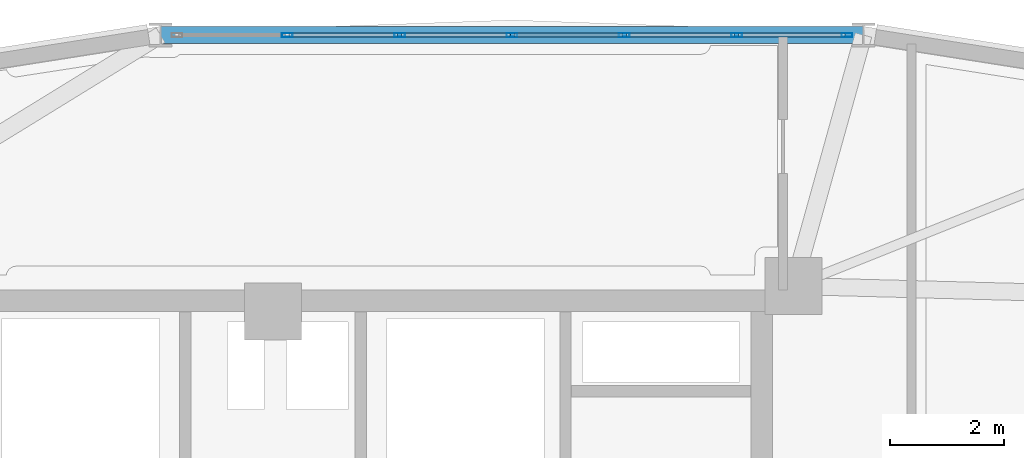
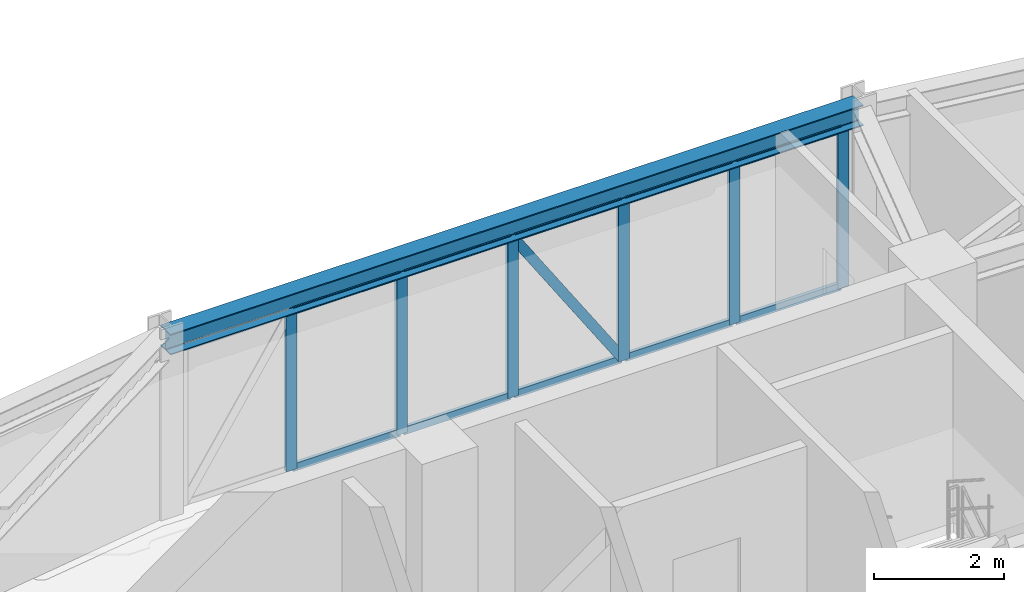
# One storey, part 10 of 18: 17 members, 1 beam, 1 element without a shape of its own.
"""IFC4 building model written with IfcOpenShell, lengths in metres."""

from ifc_helpers import new_model, si_unit, derived_unit, direction, frame, origin, origin_2d, place, context, subcontext, project, spatial, hollow_rectangle, i_section, extrude, source, transform, mapped, material, layer, layer_set, material_profile, profile_set, type_object, element, aggregate, save


model = new_model("IFC4")

# Units and contexts
model_context = context("Model", 3, precision=1e-05, world=origin(), true_north=direction((0.0, 1.0)))
body_context = subcontext(model_context, "Body", "Model", "MODEL_VIEW")
ifc_project = project(units=[si_unit("LENGTHUNIT", "METRE"), si_unit("AREAUNIT", "SQUARE_METRE"), si_unit("VOLUMEUNIT", "CUBIC_METRE"), si_unit("PLANEANGLEUNIT", "RADIAN"), si_unit("MASSUNIT", "GRAM", prefix="KILO"), derived_unit("THERMALTRANSMITTANCEUNIT", [(si_unit("POWERUNIT", "WATT"), 1), (si_unit("LENGTHUNIT", "METRE"), -2), (si_unit("THERMODYNAMICTEMPERATUREUNIT", "KELVIN"), -1)])], contexts=[model_context])

# Site, building, storey
site_placement = place(None, origin())
site = spatial("IfcSite", under=ifc_project, at=site_placement, CompositionType="ELEMENT")
building_placement = place(site_placement, origin())
building = spatial("IfcBuilding", under=site, at=building_placement, Name="Korsvarv Bourse and Concert Hall", CompositionType="ELEMENT")
storey_placement = place(building_placement, frame((0.0, 0.0, 209.39990234375)))
storey = spatial("IfcBuildingStorey", under=building, at=storey_placement, Name="L54", CompositionType="ELEMENT", Elevation=209.39990234375)

# Beam
ifc_material_1 = material(Name="Steel S355", Category="steel")
ifc_material_profile_1 = material_profile(ifc_material_1, i_section(OverallWidth=0.300048828125, OverallDepth=0.389892578125, WebThickness=0.010986328125, FlangeThickness=0.01904296875, FilletRadius=0.02099609375, at=origin_2d()), Name="HEA 400")
ifc_profile_set_1 = profile_set([ifc_material_profile_1], Name="Steel S355")
beam_type = type_object("IfcBeamType", Name="BM-HEA400", PredefinedType="BEAM", material=ifc_profile_set_1)
shared_shape_1 = source(origin(), body_context, "Body", "SweptSolid", [
    extrude(i_section(OverallWidth=0.300048828125, OverallDepth=0.389892578125, WebThickness=0.010986328125, FlangeThickness=0.01904296875, FilletRadius=0.02099609375, at=origin_2d()), origin(), (0.0, 0.0, 1.0), 12.353515625),
])
beam_placement = place(storey_placement, frame((46.376708984375, 51.66162109375, 3.215087890625), z_axis=(-1.0, 0.0, 0.0), x_axis=(0.0, -1.0, 0.0)))
element("IfcBeam", 1, at=beam_placement, inside=storey, type_object=beam_type, Name="L54 beam B-11", PredefinedType="BEAM", context=body_context, shape_type="MappedRepresentation", body=[
    mapped(shared_shape_1, transform((0.0, 0.0, 0.0), scale=1.0)),
])

# Curtain wall, members
ifc_material_2 = material(Name="Anodised aluminium and triple low-E glazing", Category="glass")
ifc_layer = layer(ifc_material_2, 0.199951171875)
ifc_layer_set = layer_set([ifc_layer], Name="Anodised aluminium and triple low-E glazing")
curtain_wall_type = type_object("IfcCurtainWallType", Name="CW-SYS-3", PredefinedType="NOTDEFINED", material=ifc_layer_set)
curtain_wall_placement = place(storey_placement, origin())
curtain_wall = element("IfcCurtainWall", 2, at=curtain_wall_placement, inside=storey, type_object=curtain_wall_type, Name="L54 CW3 curtain wall CW-L54-F03", PredefinedType="NOTDEFINED")
ifc_material_3 = material(Name="Extruded aluminium EN AW-6063 T66", Category="aluminium")
ifc_material_profile_2 = material_profile(ifc_material_3, hollow_rectangle(XDim=0.070068359375, YDim=0.18994140625, WallThickness=0.0048828125, at=origin_2d()), Name="ALU-M 70x190")
ifc_profile_set_2 = profile_set([ifc_material_profile_2], Name="Extruded aluminium EN AW-6063 T66")
member_type_1 = type_object("IfcMemberType", Name="CWM-190", PredefinedType="MULLION", material=ifc_profile_set_2)
shared_shape_2 = source(origin(), body_context, "Body", "SweptSolid", [
    extrude(hollow_rectangle(XDim=0.070068359375, YDim=0.18994140625, WallThickness=0.0048828125, at=origin_2d()), origin(), (0.0, 0.0, 1.0), 3.02001953125),
])
member_1_placement = place(storey_placement, frame((46.088623046875, 51.66162109375, 0.0), z_axis=(0.0, 0.0, 1.0), x_axis=(0.0, -1.0, 0.0)))
member_1 = element("IfcMember", 3, at=member_1_placement, type_object=member_type_1, Name="CW3 mullion 1", PredefinedType="MULLION", context=body_context, shape_type="MappedRepresentation", body=[
    mapped(shared_shape_2, transform((0.0, 0.0, 0.0), scale=1.0)),
])
member_2_placement = place(storey_placement, frame((44.149169921875, 51.66162109375, 0.0), z_axis=(0.0, 0.0, 1.0), x_axis=(0.0, -1.0, 0.0)))
member_2 = element("IfcMember", 4, at=member_2_placement, type_object=member_type_1, Name="CW3 mullion 2", PredefinedType="MULLION", context=body_context, shape_type="MappedRepresentation", body=[
    mapped(shared_shape_2, transform((0.0, 0.0, 0.0), scale=1.0)),
])
member_3_placement = place(storey_placement, frame((42.174560546875, 51.66162109375, 0.0), z_axis=(0.0, 0.0, 1.0), x_axis=(0.0, -1.0, 0.0)))
member_3 = element("IfcMember", 5, at=member_3_placement, type_object=member_type_1, Name="CW3 mullion 3", PredefinedType="MULLION", context=body_context, shape_type="MappedRepresentation", body=[
    mapped(shared_shape_2, transform((0.0, 0.0, 0.0), scale=1.0)),
])
member_4_placement = place(storey_placement, frame((40.199951171875, 51.66162109375, 0.0), z_axis=(0.0, 0.0, 1.0), x_axis=(0.0, -1.0, 0.0)))
member_4 = element("IfcMember", 6, at=member_4_placement, type_object=member_type_1, Name="CW3 mullion 4", PredefinedType="MULLION", context=body_context, shape_type="MappedRepresentation", body=[
    mapped(shared_shape_2, transform((0.0, 0.0, 0.0), scale=1.0)),
])
member_5_placement = place(storey_placement, frame((38.225341796875, 51.66162109375, 0.0), z_axis=(0.0, 0.0, 1.0), x_axis=(0.0, -1.0, 0.0)))
member_5 = element("IfcMember", 7, at=member_5_placement, type_object=member_type_1, Name="CW3 mullion 5", PredefinedType="MULLION", context=body_context, shape_type="MappedRepresentation", body=[
    mapped(shared_shape_2, transform((0.0, 0.0, 0.0), scale=1.0)),
])
member_6_placement = place(storey_placement, frame((36.2509765625, 51.66162109375, 0.0), z_axis=(0.0, 0.0, 1.0), x_axis=(0.0, -1.0, 0.0)))
member_6 = element("IfcMember", 8, at=member_6_placement, type_object=member_type_1, Name="CW3 mullion 6", PredefinedType="MULLION", context=body_context, shape_type="MappedRepresentation", body=[
    mapped(shared_shape_2, transform((0.0, 0.0, 0.0), scale=1.0)),
])
ifc_material_profile_3 = material_profile(ifc_material_3, hollow_rectangle(XDim=0.06494140625, YDim=0.139892578125, WallThickness=0.00390625, at=origin_2d()), Name="ALU-T 65x140")
ifc_profile_set_3 = profile_set([ifc_material_profile_3], Name="Extruded aluminium EN AW-6063 T66")
member_type_2 = type_object("IfcMemberType", Name="CWT-140", PredefinedType="USERDEFINED", material=ifc_profile_set_3)
shared_shape_3 = source(origin(), body_context, "Body", "SweptSolid", [
    extrude(hollow_rectangle(XDim=0.06494140625, YDim=0.139892578125, WallThickness=0.00390625, at=origin_2d()), origin(), (0.0, 0.0, 1.0), 1.86962890625),
])
member_7_placement = place(storey_placement, frame((46.0537109375, 51.66162109375, 0.03271484375), z_axis=(-1.0, 0.0, 0.0), x_axis=(0.0, -1.0, 0.0)))
member_7 = element("IfcMember", 9, at=member_7_placement, type_object=member_type_2, Name="CW3 transom 1.1", ObjectType="TRANSOM", PredefinedType="USERDEFINED", context=body_context, shape_type="MappedRepresentation", body=[
    mapped(shared_shape_3, transform((0.0, 0.0, 0.0), scale=1.0)),
])
member_8_placement = place(storey_placement, frame((46.0537109375, 51.66162109375, 2.987548828125), z_axis=(-1.0, 0.0, 0.0), x_axis=(0.0, -1.0, 0.0)))
member_8 = element("IfcMember", 10, at=member_8_placement, type_object=member_type_2, Name="CW3 transom 1.2", ObjectType="TRANSOM", PredefinedType="USERDEFINED", context=body_context, shape_type="MappedRepresentation", body=[
    mapped(shared_shape_3, transform((0.0, 0.0, 0.0), scale=1.0)),
])
shared_shape_4 = source(origin(), body_context, "Body", "SweptSolid", [
    extrude(hollow_rectangle(XDim=0.06494140625, YDim=0.139892578125, WallThickness=0.00390625, at=origin_2d()), origin(), (0.0, 0.0, 1.0), 1.904541015625),
])
member_9_placement = place(storey_placement, frame((44.114013671875, 51.66162109375, 0.03271484375), z_axis=(-1.0, 0.0, 0.0), x_axis=(0.0, -1.0, 0.0)))
member_9 = element("IfcMember", 11, at=member_9_placement, type_object=member_type_2, Name="CW3 transom 2.1", ObjectType="TRANSOM", PredefinedType="USERDEFINED", context=body_context, shape_type="MappedRepresentation", body=[
    mapped(shared_shape_4, transform((0.0, 0.0, 0.0), scale=1.0)),
])
member_10_placement = place(storey_placement, frame((44.114013671875, 51.66162109375, 2.987548828125), z_axis=(-1.0, 0.0, 0.0), x_axis=(0.0, -1.0, 0.0)))
member_10 = element("IfcMember", 12, at=member_10_placement, type_object=member_type_2, Name="CW3 transom 2.2", ObjectType="TRANSOM", PredefinedType="USERDEFINED", context=body_context, shape_type="MappedRepresentation", body=[
    mapped(shared_shape_4, transform((0.0, 0.0, 0.0), scale=1.0)),
])
member_11_placement = place(storey_placement, frame((42.1396484375, 51.66162109375, 0.03271484375), z_axis=(-1.0, 0.0, 0.0), x_axis=(0.0, -1.0, 0.0)))
member_11 = element("IfcMember", 13, at=member_11_placement, type_object=member_type_2, Name="CW3 transom 3.1", ObjectType="TRANSOM", PredefinedType="USERDEFINED", context=body_context, shape_type="MappedRepresentation", body=[
    mapped(shared_shape_4, transform((0.0, 0.0, 0.0), scale=1.0)),
])
member_12_placement = place(storey_placement, frame((42.1396484375, 51.66162109375, 2.987548828125), z_axis=(-1.0, 0.0, 0.0), x_axis=(0.0, -1.0, 0.0)))
member_12 = element("IfcMember", 14, at=member_12_placement, type_object=member_type_2, Name="CW3 transom 3.2", ObjectType="TRANSOM", PredefinedType="USERDEFINED", context=body_context, shape_type="MappedRepresentation", body=[
    mapped(shared_shape_4, transform((0.0, 0.0, 0.0), scale=1.0)),
])
member_13_placement = place(storey_placement, frame((40.1650390625, 51.66162109375, 0.03271484375), z_axis=(-1.0, 0.0, 0.0), x_axis=(0.0, -1.0, 0.0)))
member_13 = element("IfcMember", 15, at=member_13_placement, type_object=member_type_2, Name="CW3 transom 4.1", ObjectType="TRANSOM", PredefinedType="USERDEFINED", context=body_context, shape_type="MappedRepresentation", body=[
    mapped(shared_shape_4, transform((0.0, 0.0, 0.0), scale=1.0)),
])
member_14_placement = place(storey_placement, frame((40.1650390625, 51.66162109375, 2.987548828125), z_axis=(-1.0, 0.0, 0.0), x_axis=(0.0, -1.0, 0.0)))
member_14 = element("IfcMember", 16, at=member_14_placement, type_object=member_type_2, Name="CW3 transom 4.2", ObjectType="TRANSOM", PredefinedType="USERDEFINED", context=body_context, shape_type="MappedRepresentation", body=[
    mapped(shared_shape_4, transform((0.0, 0.0, 0.0), scale=1.0)),
])
member_15_placement = place(storey_placement, frame((38.1904296875, 51.66162109375, 0.03271484375), z_axis=(-1.0, 0.0, 0.0), x_axis=(0.0, -1.0, 0.0)))
member_15 = element("IfcMember", 17, at=member_15_placement, type_object=member_type_2, Name="CW3 transom 5.1", ObjectType="TRANSOM", PredefinedType="USERDEFINED", context=body_context, shape_type="MappedRepresentation", body=[
    mapped(shared_shape_4, transform((0.0, 0.0, 0.0), scale=1.0)),
])
member_16_placement = place(storey_placement, frame((38.1904296875, 51.66162109375, 2.987548828125), z_axis=(-1.0, 0.0, 0.0), x_axis=(0.0, -1.0, 0.0)))
member_16 = element("IfcMember", 18, at=member_16_placement, type_object=member_type_2, Name="CW3 transom 5.2", ObjectType="TRANSOM", PredefinedType="USERDEFINED", context=body_context, shape_type="MappedRepresentation", body=[
    mapped(shared_shape_4, transform((0.0, 0.0, 0.0), scale=1.0)),
])
ifc_material_profile_4 = material_profile(ifc_material_3, hollow_rectangle(XDim=0.06494140625, YDim=0.1650390625, WallThickness=0.0048828125, at=origin_2d()), Name="ALU-M 65x165")
ifc_profile_set_4 = profile_set([ifc_material_profile_4], Name="Extruded aluminium EN AW-6063 T66")
member_type_3 = type_object("IfcMemberType", Name="CWM-165", PredefinedType="MULLION", material=ifc_profile_set_4)
shared_shape_5 = source(origin(), body_context, "Body", "SweptSolid", [
    extrude(hollow_rectangle(XDim=0.06494140625, YDim=0.1650390625, WallThickness=0.0048828125, at=origin_2d()), origin(), (0.0, 0.0, 1.0), 3.4609375),
])
member_17_placement = place(storey_placement, frame((42.1396484375, 51.66162109375, 0.065185546875), z_axis=(-0.550280949483, 0.0, 0.834979566598), x_axis=(0.0, -1.0, 0.0)))
member_17 = element("IfcMember", 19, at=member_17_placement, type_object=member_type_3, Name="CW3 diagonal mullion 3", PredefinedType="MULLION", context=body_context, shape_type="MappedRepresentation", body=[
    mapped(shared_shape_5, transform((0.0, 0.0, 0.0), scale=1.0)),
])
aggregate(curtain_wall, [member_1, member_2, member_3, member_4, member_5, member_6, member_7, member_8, member_9, member_10, member_11, member_12, member_17, member_13, member_14, member_15, member_16])

save(model, "model.ifc")
